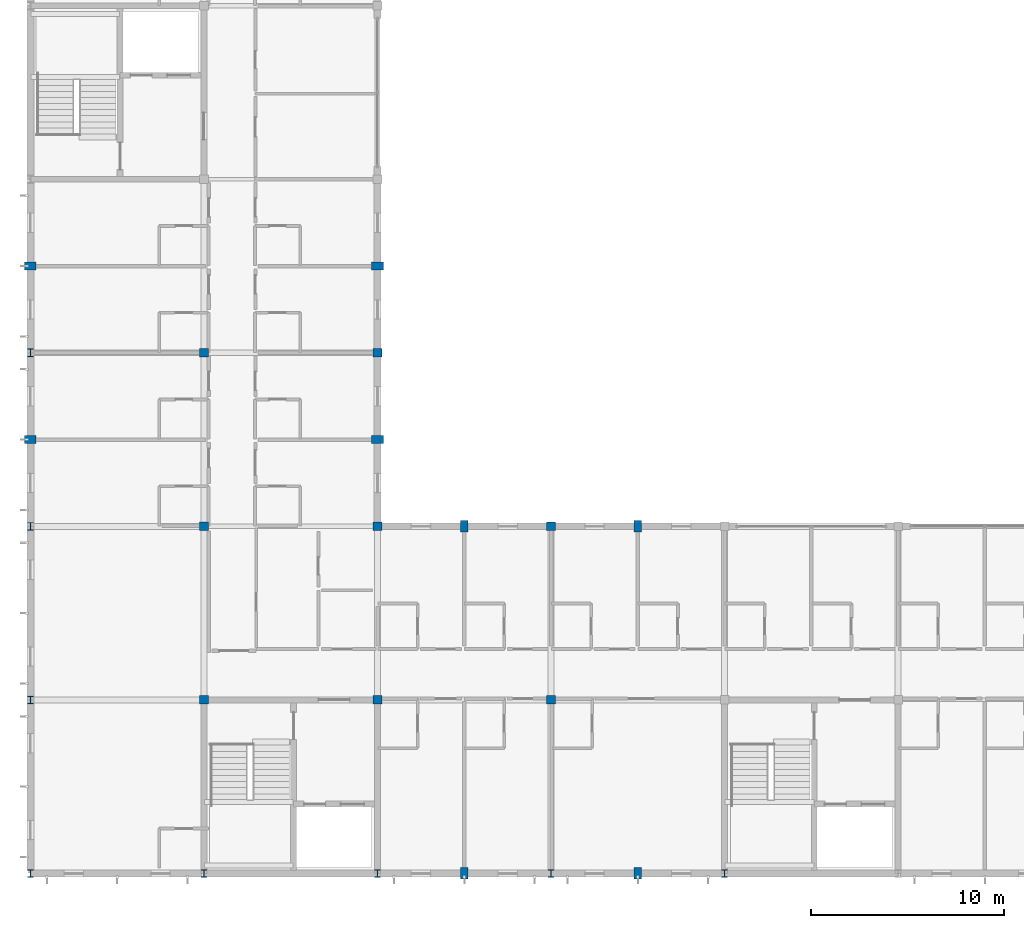
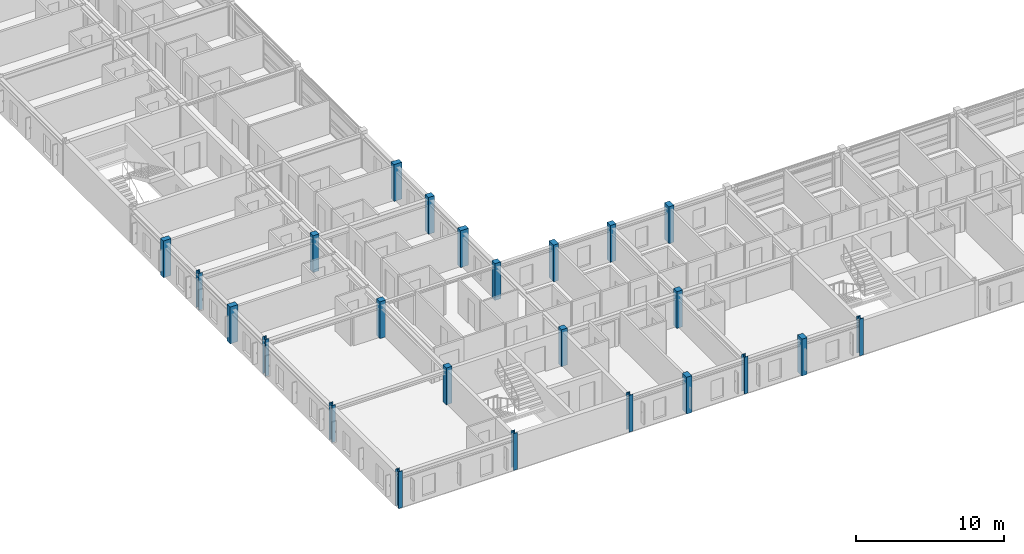
# One storey, part 1 of 24: 24 columns.
"""IFC4 building model written with IfcOpenShell, lengths in metres."""

from ifc_helpers import new_model, si_unit, direction, frame, origin, origin_2d, place, context, subcontext, project, spatial, rectangle, i_section, extrude, material, material_profile, profile_set, type_object, element, save


model = new_model("IFC4")

# Units and contexts
model_context = context("Model", 3, precision=1e-05, world=origin(), true_north=direction((0.0, 1.0)))
body_context = subcontext(model_context, "Body", "Model", "MODEL_VIEW")
ifc_project = project(units=[si_unit("LENGTHUNIT", "METRE"), si_unit("AREAUNIT", "SQUARE_METRE"), si_unit("VOLUMEUNIT", "CUBIC_METRE"), si_unit("PLANEANGLEUNIT", "RADIAN"), si_unit("MASSUNIT", "GRAM", prefix="KILO")], contexts=[model_context])

# Site, building, storey
site_placement = place(None, origin())
site = spatial("IfcSite", under=ifc_project, at=site_placement, CompositionType="ELEMENT")
building_placement = place(site_placement, origin())
building = spatial("IfcBuilding", under=site, at=building_placement, Name="Palais des Congres Ocreval", CompositionType="ELEMENT")
storey_placement = place(building_placement, frame((0.0, 0.0, 17.60009765625)))
storey = spatial("IfcBuildingStorey", under=building, at=storey_placement, Name="L05", CompositionType="ELEMENT", Elevation=17.60009765625)

# Columns
ifc_material_1 = material(Name="Steel S355", Category="steel")
ifc_material_profile_1 = material_profile(ifc_material_1, i_section(OverallWidth=0.300048828125, OverallDepth=0.39990234375, WebThickness=0.013427734375, FlangeThickness=0.02392578125, at=origin_2d()), Name="HEB 400")
ifc_profile_set_1 = profile_set([ifc_material_profile_1], Name="Steel S355")
column_type_1 = type_object("IfcColumnType", Name="Column HEB 400 Steel S355", PredefinedType="COLUMN", material=ifc_profile_set_1)
for number, where, z_axis, x_axis, name in (
    (1, (0.0, 0.0, 0.0), (0.0, 0.0, 1.0), (1.0, 0.0, 0.0), "Column C10 L05"),
    (2, (0.0, 9.0, 0.0), (0.0, 0.0, 1.0), (1.0, 0.0, 0.0), "Column C10 L05"),
    (3, (0.0, 18.0, 0.0), (0.0, 0.0, 1.0), (1.0, 0.0, 0.0), "Column C10 L05"),
    (4, (0.0, 27.0, 0.0), (0.0, 0.0, 1.0), (1.0, 0.0, 0.0), "Column C10 L05"),
    (5, (9.0, 0.0, 0.0), (0.0, 0.0, 1.0), (1.0, 0.0, 0.0), "Column C10 L05"),
    (6, (18.0, 0.0, 0.0), (0.0, 0.0, 1.0), (1.0, 0.0, 0.0), "Column C10 L05"),
    (7, (27.0, 0.0, 0.0), (0.0, 0.0, 1.0), (1.0, 0.0, 0.0), "Column C10 L05"),
    (8, (36.0, 0.0, 0.0), (0.0, 0.0, 1.0), (1.0, 0.0, 0.0), "Column C10 L05"),
):
    element("IfcColumn", number, at=place(storey_placement, frame(where, z_axis=z_axis, x_axis=x_axis)), inside=storey, type_object=column_type_1, Name=name, PredefinedType="COLUMN", context=body_context, shape_type="SweptSolid", body=[
        extrude(i_section(OverallWidth=0.300048828125, OverallDepth=0.39990234375, WebThickness=0.013427734375, FlangeThickness=0.02392578125, at=origin_2d()), origin(), (0.0, 0.0, 1.0), 3.039794921875),
    ])
ifc_material_2 = material(Name="Concrete C40/50", Category="concrete")
ifc_material_profile_2 = material_profile(ifc_material_2, rectangle(XDim=0.449951171875, YDim=0.449951171875, at=origin_2d()), Name="RC 450x450")
ifc_profile_set_2 = profile_set([ifc_material_profile_2], Name="Concrete C40/50")
column_type_2 = type_object("IfcColumnType", Name="Column RC 450x450 Concrete C40/50", PredefinedType="COLUMN", material=ifc_profile_set_2)
for number, where, z_axis, x_axis, name in (
    (9, (9.0, 9.0, 0.0), (0.0, 0.0, 1.0), (1.0, 0.0, 0.0), "Column C25 L05"),
    (10, (9.0, 18.0, 0.0), (0.0, 0.0, 1.0), (1.0, 0.0, 0.0), "Column C25 L05"),
    (11, (9.0, 27.0, 0.0), (0.0, 0.0, 1.0), (1.0, 0.0, 0.0), "Column C25 L05"),
    (12, (18.0, 9.0, 0.0), (0.0, 0.0, 1.0), (1.0, 0.0, 0.0), "Column C25 L05"),
    (13, (18.0, 18.0, 0.0), (0.0, 0.0, 1.0), (1.0, 0.0, 0.0), "Column C25 L05"),
    (14, (18.0, 27.0, 0.0), (0.0, 0.0, 1.0), (1.0, 0.0, 0.0), "Column C25 L05"),
    (15, (27.0, 9.0, 0.0), (0.0, 0.0, 1.0), (1.0, 0.0, 0.0), "Column C25 L05"),
    (16, (27.0, 18.0, 0.0), (0.0, 0.0, 1.0), (1.0, 0.0, 0.0), "Column C25 L05"),
):
    element("IfcColumn", number, at=place(storey_placement, frame(where, z_axis=z_axis, x_axis=x_axis)), inside=storey, type_object=column_type_2, Name=name, PredefinedType="COLUMN", context=body_context, shape_type="SweptSolid", body=[
        extrude(rectangle(XDim=0.449951171875, YDim=0.449951171875, at=origin_2d()), origin(), (0.0, 0.0, 1.0), 3.039794921875),
    ])
ifc_material_profile_3 = material_profile(ifc_material_2, rectangle(XDim=0.39990234375, YDim=0.60009765625, at=origin_2d()), Name="RC 400x600")
ifc_profile_set_3 = profile_set([ifc_material_profile_3], Name="Concrete C40/50")
column_type_3 = type_object("IfcColumnType", Name="Pilaster RC 400x600 Concrete C40/50", PredefinedType="PILASTER", material=ifc_profile_set_3)
for number, where, z_axis, x_axis, name in (
    (17, (22.5, 0.0, 0.0), (0.0, 0.0, 1.0), (1.0, 0.0, 0.0), "Perimeter Pilaster PL02 L05"),
    (18, (31.5, 0.0, 0.0), (0.0, 0.0, 1.0), (1.0, 0.0, 0.0), "Perimeter Pilaster PL02 L05"),
    (19, (22.5, 18.0, 0.0), (0.0, 0.0, 1.0), (1.0, 0.0, 0.0), "Perimeter Pilaster PL02 L05"),
    (20, (31.5, 18.0, 0.0), (0.0, 0.0, 1.0), (1.0, 0.0, 0.0), "Perimeter Pilaster PL02 L05"),
    (21, (0.0, 22.5, 0.0), (0.0, 0.0, 1.0), (0.0, 1.0, 0.0), "Perimeter Pilaster PL02 L05"),
    (22, (0.0, 31.5, 0.0), (0.0, 0.0, 1.0), (0.0, 1.0, 0.0), "Perimeter Pilaster PL02 L05"),
    (23, (18.0, 22.5, 0.0), (0.0, 0.0, 1.0), (0.0, 1.0, 0.0), "Perimeter Pilaster PL02 L05"),
    (24, (18.0, 31.5, 0.0), (0.0, 0.0, 1.0), (0.0, 1.0, 0.0), "Perimeter Pilaster PL02 L05"),
):
    element("IfcColumn", number, at=place(storey_placement, frame(where, z_axis=z_axis, x_axis=x_axis)), inside=storey, type_object=column_type_3, Name=name, PredefinedType="PILASTER", context=body_context, shape_type="SweptSolid", body=[
        extrude(rectangle(XDim=0.39990234375, YDim=0.60009765625, at=origin_2d()), origin(), (0.0, 0.0, 1.0), 3.039794921875),
    ])

save(model, "model.ifc")
